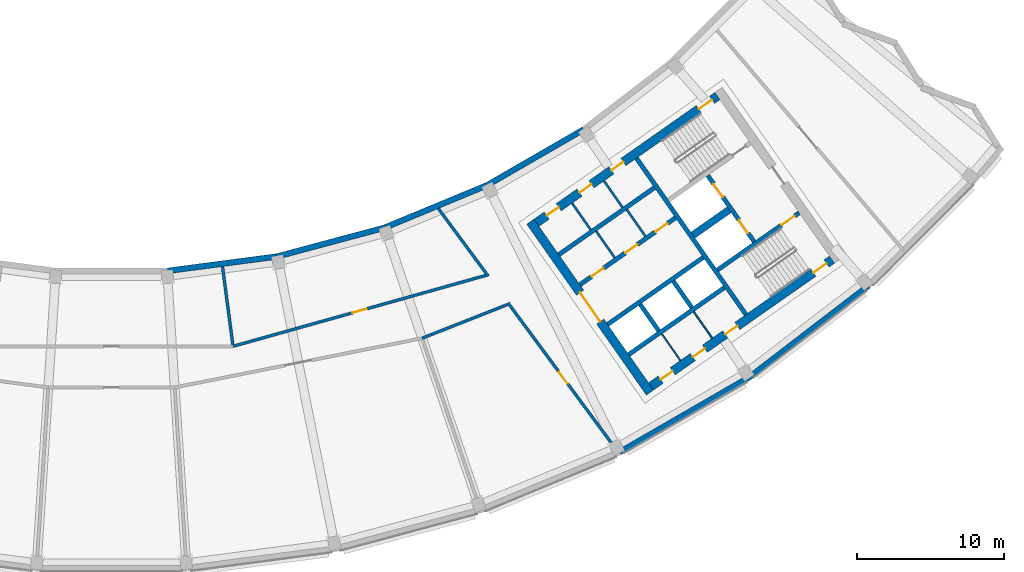
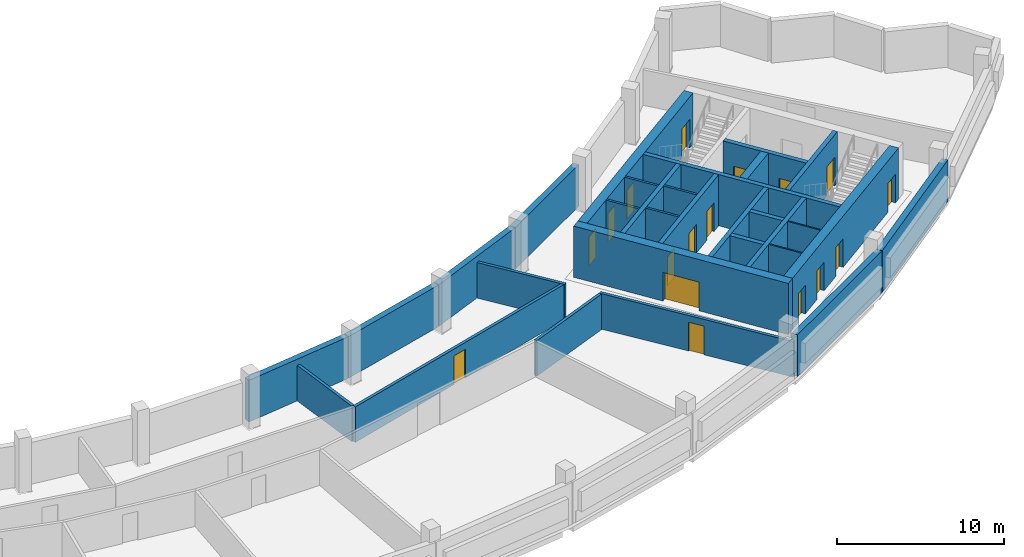
# One storey, part 6 of 12: 30 walls, 17 doors, 17 openings.
"""IFC4 building model written with IfcOpenShell, lengths in metres."""

from ifc_helpers import new_model, si_unit, direction, frame, frame_2d, origin, place, context, subcontext, project, spatial, rectangle, extrude, material, layer, layer_set, type_object, element, fill, save


model = new_model("IFC4")

# Units and contexts
model_context = context("Model", 3, precision=1e-05, world=origin(), true_north=direction((0.0, 1.0)))
body_context = subcontext(model_context, "Body", "Model", "MODEL_VIEW")
ifc_project = project(units=[si_unit("LENGTHUNIT", "METRE"), si_unit("AREAUNIT", "SQUARE_METRE"), si_unit("VOLUMEUNIT", "CUBIC_METRE"), si_unit("PLANEANGLEUNIT", "RADIAN"), si_unit("MASSUNIT", "GRAM", prefix="KILO")], contexts=[model_context])

# Site, building, storey
site_placement = place(None, origin())
site = spatial("IfcSite", under=ifc_project, at=site_placement, CompositionType="ELEMENT")
building_placement = place(site_placement, origin())
building = spatial("IfcBuilding", under=site, at=building_placement, Name="Qamariyya Broadcast Tower", CompositionType="ELEMENT")
storey_placement = place(building_placement, frame((0.0, 0.0, 290.699951171875)))
storey = spatial("IfcBuildingStorey", under=building, at=storey_placement, Name="L70", CompositionType="ELEMENT", Elevation=290.699951171875)

# Wall, opening, door
ifc_material_1 = material(Name="Concrete C60/75", Category="concrete")
ifc_layer_1 = layer(ifc_material_1, 0.60009765625)
ifc_layer_set_1 = layer_set([ifc_layer_1], Name="Core wall 600 mm Concrete C60/75")
wall_type_1 = type_object("IfcWallType", Name="Core wall 600 mm Concrete C60/75", PredefinedType="SHEAR", material=ifc_layer_set_1)
wall_1_placement = place(storey_placement, frame((36.66748046875, -66.005126953125, 0.0), z_axis=(0.0, 0.0, 1.0), x_axis=(-0.573568499524, 0.819157601658, 0.0)))
wall_1 = element("IfcWall", 1, at=wall_1_placement, inside=storey, type_object=wall_type_1, Name="k-E-L70-WA", PredefinedType="SHEAR", context=body_context, shape_type="SweptSolid", body=[
    extrude(rectangle(XDim=14.19970703125, YDim=0.60009765625, at=frame_2d((7.099853515625, 0.0))), origin(), (0.0, 0.0, 1.0), 3.75),
])
opening_1_placement = place(wall_1_placement, frame((5.89990234375, 0.0, 0.0)))
opening_1 = element("IfcOpeningElement", 2, at=opening_1_placement, cuts=wall_1, Name="Opening KD3-E1", PredefinedType="OPENING", context=body_context, shape_type="SweptSolid", body=[
    extrude(rectangle(XDim=2.39990234375, YDim=2.10009765625, at=frame_2d((1.199951171875, 1.050048828125))), frame((0.0, 0.31005859375, 0.0), z_axis=(0.0, -1.0, 0.0), x_axis=(1.0, 0.0, 0.0)), (0.0, 0.0, 1.0), 0.6201171875),
])
ifc_material_2 = material(Name="Steel fire-resisting door leaf", Category="steel")
door_type_1 = type_object("IfcDoorType", Name="Lift lobby door KD3", OperationType="DOUBLE_DOOR_SINGLE_SWING", PredefinedType="DOOR", material=ifc_material_2)
door_1_placement = place(opening_1_placement, origin())
door_1 = element("IfcDoor", 3, at=door_1_placement, inside=storey, type_object=door_type_1, Name="k-E-L70-WA-D1", OperationType="DOUBLE_DOOR_SINGLE_SWING", OverallHeight=2.10009765625, OverallWidth=2.39990234375, PredefinedType="DOOR", context=body_context, shape_type="SweptSolid", body=[
    extrude(rectangle(XDim=2.39990234375, YDim=2.10009765625, at=frame_2d((1.199951171875, 1.050048828125))), frame((0.0, 0.02490234375, 0.0), z_axis=(0.0, -1.0, 0.0), x_axis=(1.0, 0.0, 0.0)), (0.0, 0.0, 1.0), 0.050048828125),
])
fill(opening_1, door_1)

# Wall, openings, doors
wall_2_placement = place(storey_placement, frame((28.940673828125, -54.447021484375, 0.0), z_axis=(0.0, 0.0, 1.0), x_axis=(0.819153391756, 0.573574511963, 0.0)))
wall_2 = element("IfcWall", 4, at=wall_2_placement, inside=storey, type_object=wall_type_1, Name="k-E-L70-WI", PredefinedType="SHEAR", context=body_context, shape_type="SweptSolid", body=[
    extrude(rectangle(XDim=15.04541015625, YDim=0.60009765625, at=frame_2d((7.522705078125, 0.0))), origin(), (0.0, 0.0, 1.0), 3.75),
])
opening_2_placement = place(wall_2_placement, frame((0.85009765625, 0.0, 0.0)))
opening_2 = element("IfcOpeningElement", 5, at=opening_2_placement, cuts=wall_2, Name="Opening KD4-E4", PredefinedType="OPENING", context=body_context, shape_type="SweptSolid", body=[
    extrude(rectangle(XDim=1.0, YDim=2.10009765625, at=frame_2d((0.5, 1.050048828125))), frame((0.0, 0.31005859375, 0.0), z_axis=(0.0, -1.0, 0.0), x_axis=(1.0, 0.0, 0.0)), (0.0, 0.0, 1.0), 0.6201171875),
])
opening_3_placement = place(wall_2_placement, frame((3.574951171875, 0.0, 0.0)))
opening_3 = element("IfcOpeningElement", 6, at=opening_3_placement, cuts=wall_2, Name="Opening KD4-E5", PredefinedType="OPENING", context=body_context, shape_type="SweptSolid", body=[
    extrude(rectangle(XDim=1.0, YDim=2.10009765625, at=frame_2d((0.5, 1.050048828125))), frame((0.0, 0.31005859375, 0.0), z_axis=(0.0, -1.0, 0.0), x_axis=(1.0, 0.0, 0.0)), (0.0, 0.0, 1.0), 0.6201171875),
])
opening_4_placement = place(wall_2_placement, frame((6.22509765625, 0.0, 0.0)))
opening_4 = element("IfcOpeningElement", 7, at=opening_4_placement, cuts=wall_2, Name="Opening KD4-E6", PredefinedType="OPENING", context=body_context, shape_type="SweptSolid", body=[
    extrude(rectangle(XDim=1.0, YDim=2.10009765625, at=frame_2d((0.5, 1.050048828125))), frame((0.0, 0.31005859375, 0.0), z_axis=(0.0, -1.0, 0.0), x_axis=(1.0, 0.0, 0.0)), (0.0, 0.0, 1.0), 0.6201171875),
])
opening_5_placement = place(wall_2_placement, frame((13.495361328125, 0.0, 0.0)))
opening_5 = element("IfcOpeningElement", 8, at=opening_5_placement, cuts=wall_2, Name="Opening KD1-E1", PredefinedType="OPENING", context=body_context, shape_type="SweptSolid", body=[
    extrude(rectangle(XDim=1.10009765625, YDim=2.10009765625, at=frame_2d((0.550048828125, 1.050048828125))), frame((0.0, 0.31005859375, 0.0), z_axis=(0.0, -1.0, 0.0), x_axis=(1.0, 0.0, 0.0)), (0.0, 0.0, 1.0), 0.6201171875),
])
door_type_2 = type_object("IfcDoorType", Name="Riser and plant door KD4", OperationType="SINGLE_SWING_LEFT", PredefinedType="DOOR", material=ifc_material_2)
door_2_placement = place(opening_2_placement, origin())
door_2 = element("IfcDoor", 9, at=door_2_placement, inside=storey, type_object=door_type_2, Name="k-E-L70-WI-D5", OperationType="SINGLE_SWING_LEFT", OverallHeight=2.10009765625, OverallWidth=1.0, PredefinedType="DOOR", context=body_context, shape_type="SweptSolid", body=[
    extrude(rectangle(XDim=1.0, YDim=2.10009765625, at=frame_2d((0.5, 1.050048828125))), frame((0.0, 0.02490234375, 0.0), z_axis=(0.0, -1.0, 0.0), x_axis=(1.0, 0.0, 0.0)), (0.0, 0.0, 1.0), 0.050048828125),
])
fill(opening_2, door_2)
door_3_placement = place(opening_3_placement, origin())
door_3 = element("IfcDoor", 10, at=door_3_placement, inside=storey, type_object=door_type_2, Name="k-E-L70-WI-D6", OperationType="SINGLE_SWING_RIGHT", OverallHeight=2.10009765625, OverallWidth=1.0, PredefinedType="DOOR", context=body_context, shape_type="SweptSolid", body=[
    extrude(rectangle(XDim=1.0, YDim=2.10009765625, at=frame_2d((0.5, 1.050048828125))), frame((0.0, 0.02490234375, 0.0), z_axis=(0.0, -1.0, 0.0), x_axis=(1.0, 0.0, 0.0)), (0.0, 0.0, 1.0), 0.050048828125),
])
fill(opening_3, door_3)
door_4_placement = place(opening_4_placement, origin())
door_4 = element("IfcDoor", 11, at=door_4_placement, inside=storey, type_object=door_type_2, Name="k-E-L70-WI-D7", OperationType="SINGLE_SWING_LEFT", OverallHeight=2.10009765625, OverallWidth=1.0, PredefinedType="DOOR", context=body_context, shape_type="SweptSolid", body=[
    extrude(rectangle(XDim=1.0, YDim=2.10009765625, at=frame_2d((0.5, 1.050048828125))), frame((0.0, 0.02490234375, 0.0), z_axis=(0.0, -1.0, 0.0), x_axis=(1.0, 0.0, 0.0)), (0.0, 0.0, 1.0), 0.050048828125),
])
fill(opening_4, door_4)
door_type_3 = type_object("IfcDoorType", Name="Stair door KD1", OperationType="SINGLE_SWING_LEFT", PredefinedType="DOOR", material=ifc_material_2)
door_5_placement = place(opening_5_placement, origin())
door_5 = element("IfcDoor", 12, at=door_5_placement, inside=storey, type_object=door_type_3, Name="k-E-L70-WI-D14", OperationType="SINGLE_SWING_RIGHT", OverallHeight=2.10009765625, OverallWidth=1.10009765625, PredefinedType="DOOR", context=body_context, shape_type="SweptSolid", body=[
    extrude(rectangle(XDim=1.10009765625, YDim=2.10009765625, at=frame_2d((0.550048828125, 1.050048828125))), frame((0.0, 0.02490234375, 0.0), z_axis=(0.0, -1.0, 0.0), x_axis=(1.0, 0.0, 0.0)), (0.0, 0.0, 1.0), 0.050048828125),
])
fill(opening_5, door_5)

wall_3_placement = place(storey_placement, frame((36.7412109375, -65.58740234375, 0.0), z_axis=(0.0, 0.0, 1.0), x_axis=(0.819153391756, 0.573574511963, 0.0)))
wall_3 = element("IfcWall", 13, at=wall_3_placement, inside=storey, type_object=wall_type_1, Name="k-E-L70-WO", PredefinedType="SHEAR", context=body_context, shape_type="SweptSolid", body=[
    extrude(rectangle(XDim=15.04541015625, YDim=0.60009765625, at=frame_2d((7.522705078125, 0.0))), origin(), (0.0, 0.0, 1.0), 3.75),
])
opening_6_placement = place(wall_3_placement, frame((0.800048828125, 0.0, 0.0)))
opening_6 = element("IfcOpeningElement", 14, at=opening_6_placement, cuts=wall_3, Name="Opening KD4-E7", PredefinedType="OPENING", context=body_context, shape_type="SweptSolid", body=[
    extrude(rectangle(XDim=1.0, YDim=2.10009765625, at=frame_2d((0.5, 1.050048828125))), frame((0.0, 0.31005859375, 0.0), z_axis=(0.0, -1.0, 0.0), x_axis=(1.0, 0.0, 0.0)), (0.0, 0.0, 1.0), 0.6201171875),
])
opening_7_placement = place(wall_3_placement, frame((3.47509765625, 0.0, 0.0)))
opening_7 = element("IfcOpeningElement", 15, at=opening_7_placement, cuts=wall_3, Name="Opening KD4-E8", PredefinedType="OPENING", context=body_context, shape_type="SweptSolid", body=[
    extrude(rectangle(XDim=1.0, YDim=2.10009765625, at=frame_2d((0.5, 1.050048828125))), frame((0.0, 0.31005859375, 0.0), z_axis=(0.0, -1.0, 0.0), x_axis=(1.0, 0.0, 0.0)), (0.0, 0.0, 1.0), 0.6201171875),
])
opening_8_placement = place(wall_3_placement, frame((6.175048828125, 0.0, 0.0)))
opening_8 = element("IfcOpeningElement", 16, at=opening_8_placement, cuts=wall_3, Name="Opening KD4-E9", PredefinedType="OPENING", context=body_context, shape_type="SweptSolid", body=[
    extrude(rectangle(XDim=1.0, YDim=2.10009765625, at=frame_2d((0.5, 1.050048828125))), frame((0.0, 0.31005859375, 0.0), z_axis=(0.0, -1.0, 0.0), x_axis=(1.0, 0.0, 0.0)), (0.0, 0.0, 1.0), 0.6201171875),
])
opening_9_placement = place(wall_3_placement, frame((13.495361328125, 0.0, 0.0)))
opening_9 = element("IfcOpeningElement", 17, at=opening_9_placement, cuts=wall_3, Name="Opening KD1-E3", PredefinedType="OPENING", context=body_context, shape_type="SweptSolid", body=[
    extrude(rectangle(XDim=1.10009765625, YDim=2.10009765625, at=frame_2d((0.550048828125, 1.050048828125))), frame((0.0, 0.31005859375, 0.0), z_axis=(0.0, -1.0, 0.0), x_axis=(1.0, 0.0, 0.0)), (0.0, 0.0, 1.0), 0.6201171875),
])
door_6_placement = place(opening_6_placement, origin())
door_6 = element("IfcDoor", 18, at=door_6_placement, inside=storey, type_object=door_type_2, Name="k-E-L70-WO-D8", OperationType="SINGLE_SWING_RIGHT", OverallHeight=2.10009765625, OverallWidth=1.0, PredefinedType="DOOR", context=body_context, shape_type="SweptSolid", body=[
    extrude(rectangle(XDim=1.0, YDim=2.10009765625, at=frame_2d((0.5, 1.050048828125))), frame((0.0, 0.02490234375, 0.0), z_axis=(0.0, -1.0, 0.0), x_axis=(1.0, 0.0, 0.0)), (0.0, 0.0, 1.0), 0.050048828125),
])
fill(opening_6, door_6)
door_7_placement = place(opening_7_placement, origin())
door_7 = element("IfcDoor", 19, at=door_7_placement, inside=storey, type_object=door_type_2, Name="k-E-L70-WO-D9", OperationType="SINGLE_SWING_LEFT", OverallHeight=2.10009765625, OverallWidth=1.0, PredefinedType="DOOR", context=body_context, shape_type="SweptSolid", body=[
    extrude(rectangle(XDim=1.0, YDim=2.10009765625, at=frame_2d((0.5, 1.050048828125))), frame((0.0, 0.02490234375, 0.0), z_axis=(0.0, -1.0, 0.0), x_axis=(1.0, 0.0, 0.0)), (0.0, 0.0, 1.0), 0.050048828125),
])
fill(opening_7, door_7)
door_8_placement = place(opening_8_placement, origin())
door_8 = element("IfcDoor", 20, at=door_8_placement, inside=storey, type_object=door_type_2, Name="k-E-L70-WO-D10", OperationType="SINGLE_SWING_RIGHT", OverallHeight=2.10009765625, OverallWidth=1.0, PredefinedType="DOOR", context=body_context, shape_type="SweptSolid", body=[
    extrude(rectangle(XDim=1.0, YDim=2.10009765625, at=frame_2d((0.5, 1.050048828125))), frame((0.0, 0.02490234375, 0.0), z_axis=(0.0, -1.0, 0.0), x_axis=(1.0, 0.0, 0.0)), (0.0, 0.0, 1.0), 0.050048828125),
])
fill(opening_8, door_8)
door_9_placement = place(opening_9_placement, origin())
door_9 = element("IfcDoor", 21, at=door_9_placement, inside=storey, type_object=door_type_3, Name="k-E-L70-WO-D16", OperationType="SINGLE_SWING_LEFT", OverallHeight=2.10009765625, OverallWidth=1.10009765625, PredefinedType="DOOR", context=body_context, shape_type="SweptSolid", body=[
    extrude(rectangle(XDim=1.10009765625, YDim=2.10009765625, at=frame_2d((0.550048828125, 1.050048828125))), frame((0.0, 0.02490234375, 0.0), z_axis=(0.0, -1.0, 0.0), x_axis=(1.0, 0.0, 0.0)), (0.0, 0.0, 1.0), 0.050048828125),
])
fill(opening_9, door_9)

# Walls
ifc_layer_2 = layer(ifc_material_1, 0.5)
ifc_layer_set_2 = layer_set([ifc_layer_2], Name="Fire-fighting lobby divider wall 500 mm Concrete C60/75")
wall_type_2 = type_object("IfcWallType", Name="Fire-fighting lobby divider wall 500 mm Concrete C60/75", PredefinedType="SOLIDWALL", material=ifc_layer_set_2)
wall_4_placement = place(storey_placement, frame((39.59912109375, -55.28515625, 0.0), z_axis=(0.0, 0.0, 1.0), x_axis=(0.819136323161, 0.573598887793, 0.0)))
element("IfcWall", 22, at=wall_4_placement, inside=storey, type_object=wall_type_2, Name="k-E-L70-FD", PredefinedType="SOLIDWALL", context=body_context, shape_type="SweptSolid", body=[
    extrude(rectangle(XDim=2.999755859375, YDim=0.5, at=frame_2d((1.5, 0.0))), origin(), (0.0, 0.0, 1.0), 3.75),
])
ifc_material_3 = material(Name="Gypsum board partition on steel studs", Category="steel")
ifc_layer_3 = layer(ifc_material_3, 0.14990234375)
ifc_layer_set_3 = layer_set([ifc_layer_3], Name="Gypsum board partition 150 mm")
wall_type_3 = type_object("IfcWallType", Name="Gypsum board partition 150 mm", PredefinedType="PARTITIONING", material=ifc_layer_set_3)
for number, where, z_axis, x_axis, name in (
    (23, (34.26611328125, -56.822021484375, 0.0), (0.0, 0.0, 1.0), (-0.573581496053, 0.819148501424, 0.0), "k-E-L70-NC300"),
    (24, (36.35498046875, -55.359375, 0.0), (0.0, 0.0, 1.0), (-0.573581496053, 0.819148501424, 0.0), "k-E-L70-NC555"),
):
    element("IfcWall", number, at=place(storey_placement, frame(where, z_axis=z_axis, x_axis=x_axis)), inside=storey, type_object=wall_type_3, Name=name, PredefinedType="PARTITIONING", context=body_context, shape_type="SweptSolid", body=[
        extrude(rectangle(XDim=2.2001953125, YDim=0.14990234375, at=frame_2d((1.10009765625, 0.0))), origin(), (0.0, 0.0, 1.0), 3.75),
    ])
for number, where, z_axis, x_axis, name in (
    (25, (32.627197265625, -54.91748046875, 0.0), (0.0, 0.0, 1.0), (-0.573507030513, 0.819200638399, 0.0), "k-E-L70-NP275"),
    (26, (34.798095703125, -53.3974609375, 0.0), (0.0, 0.0, 1.0), (-0.573633636671, 0.819111989218, 0.0), "k-E-L70-NP540"),
):
    element("IfcWall", number, at=place(storey_placement, frame(where, z_axis=z_axis, x_axis=x_axis)), inside=storey, type_object=wall_type_3, Name=name, PredefinedType="PARTITIONING", context=body_context, shape_type="SweptSolid", body=[
        extrude(rectangle(XDim=2.199951171875, YDim=0.14990234375, at=frame_2d((1.10009765625, 0.0))), origin(), (0.0, 0.0, 1.0), 3.75),
    ])
ifc_layer_4 = layer(ifc_material_1, 0.300048828125)
ifc_layer_set_4 = layer_set([ifc_layer_4], Name="Lift shaft wall 300 mm Concrete C60/75")
wall_type_4 = type_object("IfcWallType", Name="Lift shaft wall 300 mm Concrete C60/75", PredefinedType="SOLIDWALL", material=ifc_layer_set_4)
wall_5_placement = place(storey_placement, frame((43.204345703125, -60.69580078125, 0.0), z_axis=(0.0, 0.0, 1.0), x_axis=(-0.573571992966, 0.819155155563, 0.0)))
element("IfcWall", 27, at=wall_5_placement, inside=storey, type_object=wall_type_4, Name="k-E-L70-WL", PredefinedType="SOLIDWALL", context=body_context, shape_type="SweptSolid", body=[
    extrude(rectangle(XDim=13.000244140625, YDim=0.300048828125, at=frame_2d((6.5, 0.0))), origin(), (0.0, 0.0, 1.0), 3.75),
])

# Wall, openings, doors
wall_6_placement = place(storey_placement, frame((31.89453125, -58.66552734375, 0.0), z_axis=(0.0, 0.0, 1.0), x_axis=(0.819166993208, 0.573555086491, 0.0)))
wall_6 = element("IfcWall", 28, at=wall_6_placement, inside=storey, type_object=wall_type_4, Name="k-E-L70-NF0", PredefinedType="SOLIDWALL", context=body_context, shape_type="SweptSolid", body=[
    extrude(rectangle(XDim=7.9501953125, YDim=0.300048828125, at=frame_2d((3.97509765625, 0.0))), origin(), (0.0, 0.0, 1.0), 3.75),
])
opening_10_placement = place(wall_6_placement, frame((0.96240234375, 0.0, 0.0)))
opening_10 = element("IfcOpeningElement", 29, at=opening_10_placement, cuts=wall_6, Name="Opening KD4-E1", PredefinedType="OPENING", context=body_context, shape_type="SweptSolid", body=[
    extrude(rectangle(XDim=1.0, YDim=2.10009765625, at=frame_2d((0.5, 1.050048828125))), frame((0.0, 0.159912109375, 0.0), z_axis=(0.0, -1.0, 0.0), x_axis=(1.0, 0.0, 0.0)), (0.0, 0.0, 1.0), 0.320068359375),
])
opening_11_placement = place(wall_6_placement, frame((3.77490234375, 0.0, 0.0)))
opening_11 = element("IfcOpeningElement", 30, at=opening_11_placement, cuts=wall_6, Name="Opening KD4-E2", PredefinedType="OPENING", context=body_context, shape_type="SweptSolid", body=[
    extrude(rectangle(XDim=1.0, YDim=2.10009765625, at=frame_2d((0.5, 1.050048828125))), frame((0.0, 0.159912109375, 0.0), z_axis=(0.0, -1.0, 0.0), x_axis=(1.0, 0.0, 0.0)), (0.0, 0.0, 1.0), 0.320068359375),
])
opening_12_placement = place(wall_6_placement, frame((6.28759765625, 0.0, 0.0)))
opening_12 = element("IfcOpeningElement", 31, at=opening_12_placement, cuts=wall_6, Name="Opening KD4-E3", PredefinedType="OPENING", context=body_context, shape_type="SweptSolid", body=[
    extrude(rectangle(XDim=1.0, YDim=2.10009765625, at=frame_2d((0.5, 1.050048828125))), frame((0.0, 0.159912109375, 0.0), z_axis=(0.0, -1.0, 0.0), x_axis=(1.0, 0.0, 0.0)), (0.0, 0.0, 1.0), 0.320068359375),
])
door_10_placement = place(opening_10_placement, origin())
door_10 = element("IfcDoor", 32, at=door_10_placement, inside=storey, type_object=door_type_2, Name="k-E-L70-NF0-D2", OperationType="SINGLE_SWING_RIGHT", OverallHeight=2.10009765625, OverallWidth=1.0, PredefinedType="DOOR", context=body_context, shape_type="SweptSolid", body=[
    extrude(rectangle(XDim=1.0, YDim=2.10009765625, at=frame_2d((0.5, 1.050048828125))), frame((0.0, 0.02490234375, 0.0), z_axis=(0.0, -1.0, 0.0), x_axis=(1.0, 0.0, 0.0)), (0.0, 0.0, 1.0), 0.050048828125),
])
fill(opening_10, door_10)
door_11_placement = place(opening_11_placement, origin())
door_11 = element("IfcDoor", 33, at=door_11_placement, inside=storey, type_object=door_type_2, Name="k-E-L70-NF0-D3", OperationType="SINGLE_SWING_LEFT", OverallHeight=2.10009765625, OverallWidth=1.0, PredefinedType="DOOR", context=body_context, shape_type="SweptSolid", body=[
    extrude(rectangle(XDim=1.0, YDim=2.10009765625, at=frame_2d((0.5, 1.050048828125))), frame((0.0, 0.02490234375, 0.0), z_axis=(0.0, -1.0, 0.0), x_axis=(1.0, 0.0, 0.0)), (0.0, 0.0, 1.0), 0.050048828125),
])
fill(opening_11, door_11)
door_12_placement = place(opening_12_placement, origin())
door_12 = element("IfcDoor", 34, at=door_12_placement, inside=storey, type_object=door_type_2, Name="k-E-L70-NF0-D4", OperationType="SINGLE_SWING_RIGHT", OverallHeight=2.10009765625, OverallWidth=1.0, PredefinedType="DOOR", context=body_context, shape_type="SweptSolid", body=[
    extrude(rectangle(XDim=1.0, YDim=2.10009765625, at=frame_2d((0.5, 1.050048828125))), frame((0.0, 0.02490234375, 0.0), z_axis=(0.0, -1.0, 0.0), x_axis=(1.0, 0.0, 0.0)), (0.0, 0.0, 1.0), 0.050048828125),
])
fill(opening_12, door_12)

# Walls
wall_7_placement = place(storey_placement, frame((30.460693359375, -56.61767578125, 0.0), z_axis=(0.0, 0.0, 1.0), x_axis=(0.819142461705, 0.573590121456, 0.0)))
element("IfcWall", 35, at=wall_7_placement, inside=storey, type_object=wall_type_4, Name="k-E-L70-NB0", PredefinedType="SOLIDWALL", context=body_context, shape_type="SweptSolid", body=[
    extrude(rectangle(XDim=7.949951171875, YDim=0.300048828125, at=frame_2d((3.97509765625, 0.0))), origin(), (0.0, 0.0, 1.0), 3.75),
])
for number, where, z_axis, x_axis, name in (
    (36, (33.787353515625, -61.368896484375, 0.0), (0.0, 0.0, 1.0), (0.819152564888, 0.573575692858, 0.0), "k-E-L70-SF0"),
    (37, (35.22119140625, -63.41650390625, 0.0), (0.0, 0.0, 1.0), (0.819166993208, 0.573555086491, 0.0), "k-E-L70-SB0"),
):
    element("IfcWall", number, at=place(storey_placement, frame(where, z_axis=z_axis, x_axis=x_axis)), inside=storey, type_object=wall_type_4, Name=name, PredefinedType="SOLIDWALL", context=body_context, shape_type="SweptSolid", body=[
        extrude(rectangle(XDim=7.9501953125, YDim=0.300048828125, at=frame_2d((3.97509765625, 0.0))), origin(), (0.0, 0.0, 1.0), 3.75),
    ])
wall_8_placement = place(storey_placement, frame((36.003173828125, -60.000244140625, 0.0), z_axis=(0.0, 0.0, 1.0), x_axis=(0.573581496053, -0.819148501424, 0.0)))
element("IfcWall", 38, at=wall_8_placement, inside=storey, type_object=wall_type_4, Name="k-E-L70-SD0", PredefinedType="SOLIDWALL", context=body_context, shape_type="SweptSolid", body=[
    extrude(rectangle(XDim=2.2001953125, YDim=0.300048828125, at=frame_2d((1.10009765625, 0.0))), origin(), (0.0, 0.0, 1.0), 3.75),
])
wall_9_placement = place(storey_placement, frame((38.255859375, -58.423095703125, 0.0), z_axis=(0.0, 0.0, 1.0), x_axis=(0.573633636671, -0.819111989218, 0.0)))
element("IfcWall", 39, at=wall_9_placement, inside=storey, type_object=wall_type_4, Name="k-E-L70-SD1", PredefinedType="SOLIDWALL", context=body_context, shape_type="SweptSolid", body=[
    extrude(rectangle(XDim=2.199951171875, YDim=0.300048828125, at=frame_2d((1.10009765625, 0.0))), origin(), (0.0, 0.0, 1.0), 3.75),
])

# Wall, opening, door
wall_10_placement = place(storey_placement, frame((41.262451171875, -57.66064453125, 0.0), z_axis=(0.0, 0.0, 1.0), x_axis=(0.819164398642, 0.573558792102, 0.0)))
wall_10 = element("IfcWall", 40, at=wall_10_placement, inside=storey, type_object=wall_type_4, Name="k-E-L70-SW", PredefinedType="SOLIDWALL", context=body_context, shape_type="SweptSolid", body=[
    extrude(rectangle(XDim=6.795166015625, YDim=0.300048828125, at=frame_2d((3.3974609375, 0.0))), origin(), (0.0, 0.0, 1.0), 3.75),
])
opening_13_placement = place(wall_10_placement, frame((5.3203125, 0.0, 0.0)))
opening_13 = element("IfcOpeningElement", 41, at=opening_13_placement, cuts=wall_10, Name="Opening KD1-E4", PredefinedType="OPENING", context=body_context, shape_type="SweptSolid", body=[
    extrude(rectangle(XDim=1.10009765625, YDim=2.10009765625, at=frame_2d((0.550048828125, 1.050048828125))), frame((0.0, 0.159912109375, 0.0), z_axis=(0.0, -1.0, 0.0), x_axis=(1.0, 0.0, 0.0)), (0.0, 0.0, 1.0), 0.320068359375),
])
door_13_placement = place(opening_13_placement, origin())
door_13 = element("IfcDoor", 42, at=door_13_placement, inside=storey, type_object=door_type_3, Name="k-E-L70-SW-D17", OperationType="SINGLE_SWING_LEFT", OverallHeight=2.10009765625, OverallWidth=1.10009765625, PredefinedType="DOOR", context=body_context, shape_type="SweptSolid", body=[
    extrude(rectangle(XDim=1.10009765625, YDim=2.10009765625, at=frame_2d((0.550048828125, 1.050048828125))), frame((0.0, 0.02490234375, 0.0), z_axis=(0.0, -1.0, 0.0), x_axis=(1.0, 0.0, 0.0)), (0.0, 0.0, 1.0), 0.050048828125),
])
fill(opening_13, door_13)

# Wall, openings, doors
wall_11_placement = place(storey_placement, frame((43.756591796875, -55.731201171875, 0.0), z_axis=(0.0, 0.0, 1.0), x_axis=(-0.573536818435, 0.819179783625, 0.0)))
wall_11 = element("IfcWall", 43, at=wall_11_placement, inside=storey, type_object=wall_type_4, Name="k-E-L70-FF", PredefinedType="SOLIDWALL", context=body_context, shape_type="SweptSolid", body=[
    extrude(rectangle(XDim=5.500244140625, YDim=0.300048828125, at=frame_2d((2.75, 0.0))), origin(), (0.0, 0.0, 1.0), 3.75),
])
opening_14_placement = place(wall_11_placement, frame((0.699951171875, 0.0, 0.0)))
opening_14 = element("IfcOpeningElement", 44, at=opening_14_placement, cuts=wall_11, Name="Opening LD", PredefinedType="OPENING", context=body_context, shape_type="SweptSolid", body=[
    extrude(rectangle(XDim=1.10009765625, YDim=2.10009765625, at=frame_2d((0.550048828125, 1.050048828125))), frame((0.0, 0.159912109375, 0.0), z_axis=(0.0, -1.0, 0.0), x_axis=(1.0, 0.0, 0.0)), (0.0, 0.0, 1.0), 0.320068359375),
])
opening_15_placement = place(wall_11_placement, frame((3.699951171875, 0.0, 0.0)))
opening_15 = element("IfcOpeningElement", 45, at=opening_15_placement, cuts=wall_11, Name="Opening LD", PredefinedType="OPENING", context=body_context, shape_type="SweptSolid", body=[
    extrude(rectangle(XDim=1.10009765625, YDim=2.10009765625, at=frame_2d((0.550048828125, 1.050048828125))), frame((0.0, 0.159912109375, 0.0), z_axis=(0.0, -1.0, 0.0), x_axis=(1.0, 0.0, 0.0)), (0.0, 0.0, 1.0), 0.320068359375),
])
door_type_4 = type_object("IfcDoorType", Name="Lift landing door LD", OperationType="DOUBLE_DOOR_SLIDING", PredefinedType="DOOR", material=ifc_material_2)
door_14_placement = place(opening_14_placement, origin())
door_14 = element("IfcDoor", 46, at=door_14_placement, inside=storey, type_object=door_type_4, Name="k-E-L70-FF-D11", OperationType="DOUBLE_DOOR_SLIDING", OverallHeight=2.10009765625, OverallWidth=1.10009765625, PredefinedType="DOOR", context=body_context, shape_type="SweptSolid", body=[
    extrude(rectangle(XDim=1.10009765625, YDim=2.10009765625, at=frame_2d((0.550048828125, 1.050048828125))), frame((0.0, 0.02490234375, 0.0), z_axis=(0.0, -1.0, 0.0), x_axis=(1.0, 0.0, 0.0)), (0.0, 0.0, 1.0), 0.050048828125),
])
fill(opening_14, door_14)
door_15_placement = place(opening_15_placement, origin())
door_15 = element("IfcDoor", 47, at=door_15_placement, inside=storey, type_object=door_type_4, Name="k-E-L70-FF-D12", OperationType="DOUBLE_DOOR_SLIDING", OverallHeight=2.10009765625, OverallWidth=1.10009765625, PredefinedType="DOOR", context=body_context, shape_type="SweptSolid", body=[
    extrude(rectangle(XDim=1.10009765625, YDim=2.10009765625, at=frame_2d((0.550048828125, 1.050048828125))), frame((0.0, 0.02490234375, 0.0), z_axis=(0.0, -1.0, 0.0), x_axis=(1.0, 0.0, 0.0)), (0.0, 0.0, 1.0), 0.050048828125),
])
fill(opening_15, door_15)

# Wall
ifc_material_4 = material(Name="Masonry block wall", Category="masonry")
ifc_layer_5 = layer(ifc_material_4, 0.199951171875)
ifc_layer_set_5 = layer_set([ifc_layer_5], Name="Plant room wall 200 EI 120")
wall_type_5 = type_object("IfcWallType", Name="Plant room wall 200 EI 120", PredefinedType="PARTITIONING", material=ifc_layer_set_5)
wall_12_placement = place(storey_placement, frame((7.56103515625, -57.430908203125, 0.0), z_axis=(0.0, 0.0, 1.0), x_axis=(0.130485069567, -0.991450274406, 0.0)))
element("IfcWall", 48, at=wall_12_placement, inside=storey, type_object=wall_type_5, Name="Partition L70-018", PredefinedType="PARTITIONING", context=body_context, shape_type="SweptSolid", body=[
    extrude(rectangle(XDim=5.37353515625, YDim=0.199951171875, at=frame_2d((2.686767578125, 0.0))), origin(), (0.0, 0.0, 1.0), 2.60009765625),
])

# Wall, opening, door
wall_13_placement = place(storey_placement, frame((8.275390625, -62.857666015625, 0.0), z_axis=(0.0, 0.0, 1.0), x_axis=(0.96289595911, 0.269872881057, 0.0)))
wall_13 = element("IfcWall", 49, at=wall_13_placement, inside=storey, type_object=wall_type_5, Name="Partition L70-019", PredefinedType="PARTITIONING", context=body_context, shape_type="SweptSolid", body=[
    extrude(rectangle(XDim=17.890380859375, YDim=0.199951171875, at=frame_2d((8.9453125, 0.0))), origin(), (0.0, 0.0, 1.0), 2.60009765625),
])
opening_16_placement = place(wall_13_placement, frame((8.445068359375, 0.0, 0.0)))
opening_16 = element("IfcOpeningElement", 50, at=opening_16_placement, cuts=wall_13, Name="Opening L70-D10", PredefinedType="OPENING", context=body_context, shape_type="SweptSolid", body=[
    extrude(rectangle(XDim=1.0, YDim=2.10009765625, at=frame_2d((0.5, 1.050048828125))), frame((0.0, 0.10986328125, 0.0), z_axis=(0.0, -1.0, 0.0), x_axis=(1.0, 0.0, 0.0)), (0.0, 0.0, 1.0), 0.219970703125),
])
ifc_material_5 = material(Name="Insulated metal door leaf")
door_type_5 = type_object("IfcDoorType", Name="Plant door 1000 x 2100 FD120", OperationType="NOTDEFINED", PredefinedType="DOOR", material=ifc_material_5)
door_16_placement = place(opening_16_placement, origin())
door_16 = element("IfcDoor", 51, at=door_16_placement, inside=storey, type_object=door_type_5, Name="Door L70-D10", OperationType="SINGLE_SWING_RIGHT", OverallHeight=2.10009765625, OverallWidth=1.0, PredefinedType="DOOR", context=body_context, shape_type="SweptSolid", body=[
    extrude(rectangle(XDim=1.0, YDim=2.10009765625, at=frame_2d((0.5, 1.050048828125))), frame((0.0, 0.02490234375, 0.0), z_axis=(0.0, -1.0, 0.0), x_axis=(1.0, 0.0, 0.0)), (0.0, 0.0, 1.0), 0.050048828125),
])
fill(opening_16, door_16)

# Walls
wall_14_placement = place(storey_placement, frame((21.150634765625, -62.30810546875, 0.0), z_axis=(0.0, 0.0, 1.0), x_axis=(0.930313487961, 0.366765339309, 0.0)))
element("IfcWall", 52, at=wall_14_placement, inside=storey, type_object=wall_type_5, Name="Partition L70-020", PredefinedType="PARTITIONING", context=body_context, shape_type="SweptSolid", body=[
    extrude(rectangle(XDim=6.249267578125, YDim=0.199951171875, at=frame_2d((3.12451171875, 0.0))), origin(), (0.0, 0.0, 1.0), 2.60009765625),
])
wall_15_placement = place(storey_placement, frame((22.251953125, -53.469482421875, 0.0), z_axis=(0.0, 0.0, 1.0), x_axis=(0.593885763016, -0.804549377283, 0.0)))
element("IfcWall", 53, at=wall_15_placement, inside=storey, type_object=wall_type_5, Name="Partition L70-021", PredefinedType="PARTITIONING", context=body_context, shape_type="SweptSolid", body=[
    extrude(rectangle(XDim=5.734375, YDim=0.199951171875, at=frame_2d((2.8671875, 0.0))), origin(), (0.0, 0.0, 1.0), 2.60009765625),
])

# Wall, opening, door
wall_16_placement = place(storey_placement, frame((34.534423828125, -70.109130859375, 0.0), z_axis=(0.0, 0.0, 1.0), x_axis=(-0.593866233023, 0.804563793167, 0.0)))
wall_16 = element("IfcWall", 54, at=wall_16_placement, inside=storey, type_object=wall_type_5, Name="Partition L70-023", PredefinedType="PARTITIONING", context=body_context, shape_type="SweptSolid", body=[
    extrude(rectangle(XDim=12.6904296875, YDim=0.199951171875, at=frame_2d((6.34521484375, 0.0))), origin(), (0.0, 0.0, 1.0), 2.60009765625),
])
opening_17_placement = place(wall_16_placement, frame((5.84521484375, 0.0, 0.0)))
opening_17 = element("IfcOpeningElement", 55, at=opening_17_placement, cuts=wall_16, Name="Opening L70-D06", PredefinedType="OPENING", context=body_context, shape_type="SweptSolid", body=[
    extrude(rectangle(XDim=1.0, YDim=2.10009765625, at=frame_2d((0.5, 1.050048828125))), frame((0.0, 0.10986328125, 0.0), z_axis=(0.0, -1.0, 0.0), x_axis=(1.0, 0.0, 0.0)), (0.0, 0.0, 1.0), 0.219970703125),
])
door_17_placement = place(opening_17_placement, origin())
door_17 = element("IfcDoor", 56, at=door_17_placement, inside=storey, type_object=door_type_5, Name="Door L70-D06", OperationType="SINGLE_SWING_RIGHT", OverallHeight=2.10009765625, OverallWidth=1.0, PredefinedType="DOOR", context=body_context, shape_type="SweptSolid", body=[
    extrude(rectangle(XDim=1.0, YDim=2.10009765625, at=frame_2d((0.5, 1.050048828125))), frame((0.0, 0.02490234375, 0.0), z_axis=(0.0, -1.0, 0.0), x_axis=(1.0, 0.0, 0.0)), (0.0, 0.0, 1.0), 0.050048828125),
])
fill(opening_17, door_17)

# Walls
ifc_material_6 = material(Name="Fire-rated gypsum shaft liner on steel studs", Category="steel")
ifc_layer_6 = layer(ifc_material_6, 0.10009765625)
ifc_layer_set_6 = layer_set([ifc_layer_6], Name="Riser wall 100 mm")
wall_type_6 = type_object("IfcWallType", Name="Riser wall 100 mm", PredefinedType="PLUMBINGWALL", material=ifc_layer_set_6)
wall_17_placement = place(storey_placement, frame((37.47802734375, -62.01953125, 0.0), z_axis=(0.0, 0.0, 1.0), x_axis=(0.573581496053, -0.819148501424, 0.0)))
element("IfcWall", 57, at=wall_17_placement, inside=storey, type_object=wall_type_6, Name="k-E-L70-SP265", PredefinedType="PLUMBINGWALL", context=body_context, shape_type="SweptSolid", body=[
    extrude(rectangle(XDim=2.2001953125, YDim=0.10009765625, at=frame_2d((1.10009765625, 0.0))), origin(), (0.0, 0.0, 1.0), 3.75),
])
wall_18_placement = place(storey_placement, frame((39.64892578125, -60.49951171875, 0.0), z_axis=(0.0, 0.0, 1.0), x_axis=(0.573507030513, -0.819200638399, 0.0)))
element("IfcWall", 58, at=wall_18_placement, inside=storey, type_object=wall_type_6, Name="k-E-L70-SP530", PredefinedType="PLUMBINGWALL", context=body_context, shape_type="SweptSolid", body=[
    extrude(rectangle(XDim=2.199951171875, YDim=0.10009765625, at=frame_2d((1.10009765625, 0.0))), origin(), (0.0, 0.0, 1.0), 3.75),
])
ifc_material_7 = material(Name="Terracotta", Category="masonry")
ifc_layer_7 = layer(ifc_material_7, 0.39990234375)
ifc_layer_set_7 = layer_set([ifc_layer_7], Name="Solid terracotta louvred band wall 400")
wall_type_7 = type_object("IfcWallType", Name="Solid terracotta louvred band wall 400", PredefinedType="SOLIDWALL", material=ifc_layer_set_7)
wall_19_placement = place(storey_placement, frame((25.539794921875, -51.90380859375, 0.0), z_axis=(0.0, 0.0, 1.0), x_axis=(-0.923872151004, -0.382701252414, 0.0)))
element("IfcWall", 59, at=wall_19_placement, inside=storey, type_object=wall_type_7, Name="e-wl-L70-in100", PredefinedType="SOLIDWALL", context=body_context, shape_type="SweptSolid", body=[
    extrude(rectangle(XDim=7.4658203125, YDim=0.39990234375, at=frame_2d((3.73291015625, 0.0))), origin(), (0.0, 0.0, 1.0), 3.050048828125),
])
wall_20_placement = place(storey_placement, frame((32.16162109375, -48.08837890625, 0.0), z_axis=(0.0, 0.0, 1.0), x_axis=(-0.866025463095, -0.499999897272, 0.0)))
element("IfcWall", 60, at=wall_20_placement, inside=storey, type_object=wall_type_7, Name="e-wl-L70-in110", PredefinedType="SOLIDWALL", context=body_context, shape_type="SweptSolid", body=[
    extrude(rectangle(XDim=7.6171875, YDim=0.39990234375, at=frame_2d((3.80859375, 0.0))), origin(), (0.0, 0.0, 1.0), 3.050048828125),
])
wall_21_placement = place(storey_placement, frame((11.23583984375, -56.745361328125, 0.0), z_axis=(0.0, 0.0, 1.0), x_axis=(-0.991442493144, -0.130544179452, 0.0)))
element("IfcWall", 61, at=wall_21_placement, inside=storey, type_object=wall_type_7, Name="e-wl-L70-in80", PredefinedType="SOLIDWALL", context=body_context, shape_type="SweptSolid", body=[
    extrude(rectangle(XDim=7.4658203125, YDim=0.39990234375, at=frame_2d((3.73291015625, 0.0))), origin(), (0.0, 0.0, 1.0), 3.050048828125),
])
wall_22_placement = place(storey_placement, frame((18.61962890625, -54.77392578125, 0.0), z_axis=(0.0, 0.0, 1.0), x_axis=(-0.965927307138, -0.258813518437, 0.0)))
element("IfcWall", 62, at=wall_22_placement, inside=storey, type_object=wall_type_7, Name="e-wl-L70-in90", PredefinedType="SOLIDWALL", context=body_context, shape_type="SweptSolid", body=[
    extrude(rectangle(XDim=7.6171875, YDim=0.39990234375, at=frame_2d((3.80859375, 0.0))), origin(), (0.0, 0.0, 1.0), 3.050048828125),
])
wall_23_placement = place(storey_placement, frame((34.608642578125, -70.06494140625, 0.0), z_axis=(0.0, 0.0, 1.0), x_axis=(0.866019679839, 0.500009914033, 0.0)))
element("IfcWall", 63, at=wall_23_placement, inside=storey, type_object=wall_type_7, Name="e-wl-L70-out110", PredefinedType="SOLIDWALL", context=body_context, shape_type="SweptSolid", body=[
    extrude(rectangle(XDim=10.120849609375, YDim=0.39990234375, at=frame_2d((5.060546875, 0.0))), origin(), (0.0, 0.0, 1.0), 3.050048828125),
])
wall_24_placement = place(storey_placement, frame((43.397705078125, -64.994140625, 0.0), z_axis=(0.0, 0.0, 1.0), x_axis=(0.793354972355, 0.608759302055, 0.0)))
element("IfcWall", 64, at=wall_24_placement, inside=storey, type_object=wall_type_7, Name="e-wl-L70-out120", PredefinedType="SOLIDWALL", context=body_context, shape_type="SweptSolid", body=[
    extrude(rectangle(XDim=10.2724609375, YDim=0.39990234375, at=frame_2d((5.13623046875, 0.0))), origin(), (0.0, 0.0, 1.0), 3.050048828125),
])

save(model, "model.ifc")
